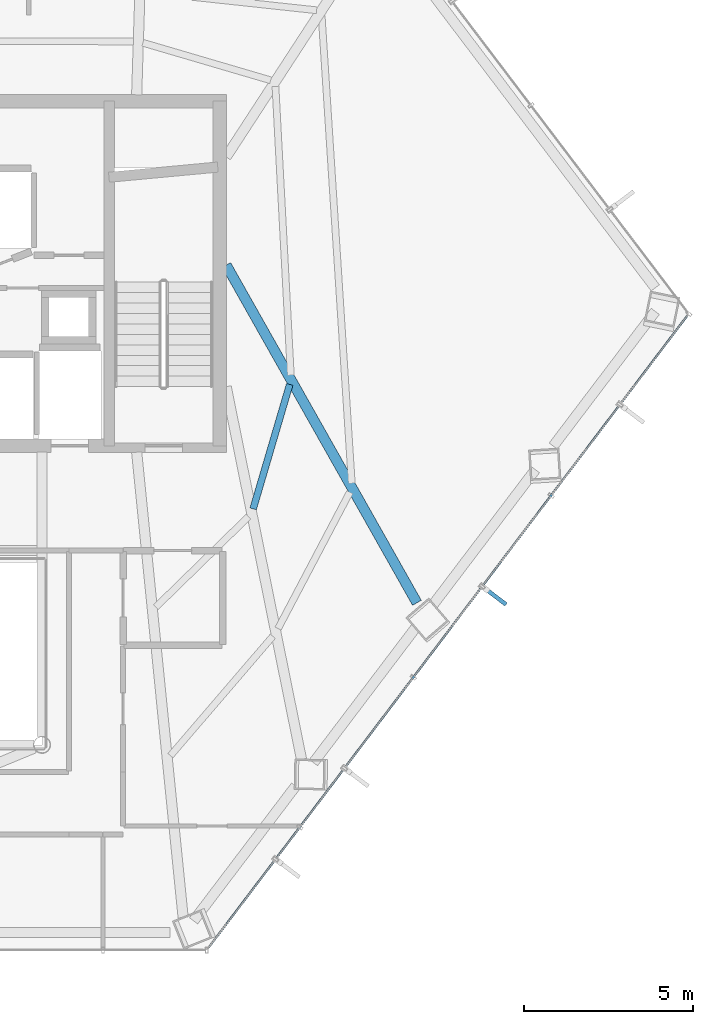
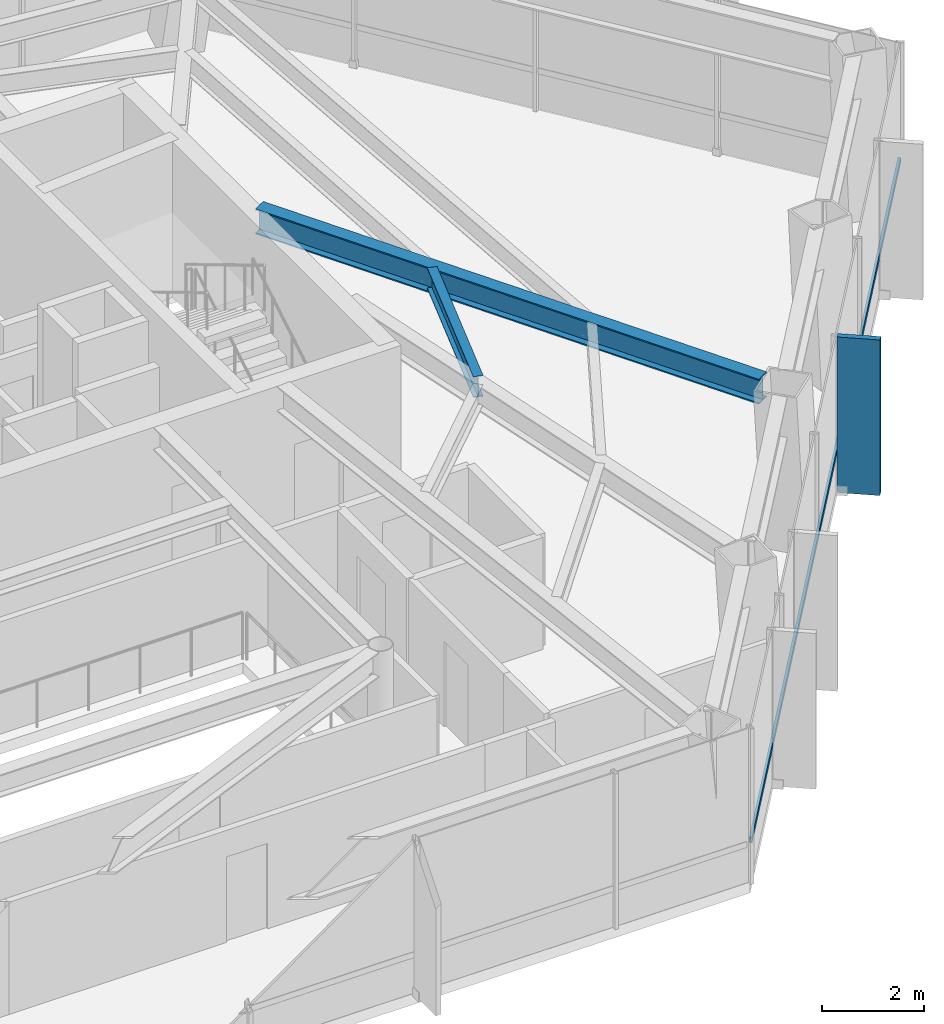
# One storey, part 16 of 25: 2 beams, 2 members, 1 element without a shape of its own.
"""IFC4 building model written with IfcOpenShell, lengths in metres."""

import ifcopenshell
import ifcopenshell.guid

model = None  # the IFC model being written
_history = None  # IfcOwnerHistory: only IFC2X3 demands one
_inside = {}  # id of a spatial element -> (the spatial element, [elements in it])
_under = {}  # id of a project, library or spatial element -> (it, [spatial elements below it])
_declared = {}  # id of a project -> (the project, [libraries it declares])
_typed = {}  # id of a type object -> (the type object, [elements of that type])
_made_of = {}  # id of a material, layer set ... -> (it, [elements and type objects made of it])


def new_model(schema):
    """Start an empty IFC model of exactly this schema.

    Asked for "IFC4X3", IfcOpenShell would pick the latest addendum, in which some entities
    have other attributes; the version numbers below select the first issue.
    IFC2X3 requires an IfcOwnerHistory on every rooted entity: one is made here for all.
    """
    global model, _history
    if schema == "IFC4X3":
        model = ifcopenshell.file(schema_version=(4, 3, 0, 0))
    else:
        model = ifcopenshell.file(schema=schema)
    _inside.clear()
    _under.clear()
    _declared.clear()
    _typed.clear()
    _made_of.clear()
    _history = None
    if model.schema == "IFC2X3":
        org = make("IfcOrganization", Name="unknown")
        user = make(
            "IfcPersonAndOrganization",
            ThePerson=make("IfcPerson", FamilyName="unknown"),
            TheOrganization=org,
        )
        app = make(
            "IfcApplication",
            ApplicationDeveloper=org,
            Version="unknown",
            ApplicationFullName="unknown",
            ApplicationIdentifier="unknown",
        )
        _history = make(
            "IfcOwnerHistory",
            OwningUser=user,
            OwningApplication=app,
            ChangeAction="ADDED",
            CreationDate=0,
        )
    return model


def make(cls, **values):
    """One entity of the class cls with the attributes given. An attribute that is None is left unset."""
    return model.create_entity(
        cls, **{name: value for name, value in values.items() if value is not None}
    )


def rooted(cls, **values):
    """An entity with a GlobalId (a new one), such as an element, a storey or a relation."""
    return make(cls, GlobalId=ifcopenshell.guid.new(), OwnerHistory=_history, **values)


def si_unit(unit_type, name, prefix=None):
    """IfcSIUnit, for example si_unit("LENGTHUNIT", "METRE", prefix="MILLI")."""
    return make("IfcSIUnit", UnitType=unit_type, Prefix=prefix, Name=name)


def assignment(units):
    """IfcUnitAssignment: the units of a project."""
    return None if units is None else make("IfcUnitAssignment", Units=units)


def point(xyz):
    """IfcCartesianPoint."""
    return None if xyz is None else make("IfcCartesianPoint", Coordinates=xyz)


def direction(xyz):
    """IfcDirection."""
    return None if xyz is None else make("IfcDirection", DirectionRatios=xyz)


def frame(location, z_axis=None, x_axis=None):
    """IfcAxis2Placement3D, a coordinate frame: its origin and axes. An axis left out is left unset."""
    return make(
        "IfcAxis2Placement3D",
        Location=point(location),
        Axis=direction(z_axis),
        RefDirection=direction(x_axis),
    )


def frame_2d(location, x_axis=None):
    """IfcAxis2Placement2D, a coordinate frame in the plane: its origin and x axis."""
    return make(
        "IfcAxis2Placement2D", Location=point(location), RefDirection=direction(x_axis)
    )


def origin():
    """The frame at (0, 0, 0) with its axes left unset."""
    return frame((0.0, 0.0, 0.0))


def origin_2d():
    """The frame at (0, 0) in the plane with its x axis left unset."""
    return frame_2d((0.0, 0.0))


def place(relative_to, where):
    """IfcLocalPlacement: puts the frame where relative to a parent placement (None: the world)."""
    return make(
        "IfcLocalPlacement", PlacementRelTo=relative_to, RelativePlacement=where
    )


def context(
    kind, dimensions, precision=None, world=None, true_north=None, identifier=None
):
    """IfcGeometricRepresentationContext, for example the 3D "Model" context."""
    return make(
        "IfcGeometricRepresentationContext",
        ContextIdentifier=identifier,
        ContextType=kind,
        CoordinateSpaceDimension=dimensions,
        Precision=precision,
        WorldCoordinateSystem=world,
        TrueNorth=true_north,
    )


def subcontext(parent, identifier, kind, view, scale=None):
    """IfcGeometricRepresentationSubContext, for example "Body" below "Model"."""
    return make(
        "IfcGeometricRepresentationSubContext",
        ContextIdentifier=identifier,
        ContextType=kind,
        ParentContext=parent,
        TargetScale=scale,
        TargetView=view,
    )


def project(units=None, contexts=None):
    """IfcProject with its units and contexts."""
    return rooted(
        "IfcProject",
        Name="project",
        RepresentationContexts=contexts,
        UnitsInContext=assignment(units),
    )


def spatial(cls, under=None, at=None, **own):
    """A site, building, storey or space (cls), placed at a placement, below another one or the project."""
    s = rooted(cls, ObjectPlacement=at, **own)
    if under is not None:
        _under.setdefault(under.id(), (under, []))[1].append(s)
    return s


def profile(cls, at=None, kind="AREA", **sizes):
    """A parametric profile (cls). Its sizes go by their IFC names, for example OverallWidth=200.0."""
    return make(cls, ProfileType=kind, Position=at, **sizes)


def rectangle(**sizes):
    """IfcRectangleProfileDef."""
    return profile("IfcRectangleProfileDef", **sizes)


def hollow_rectangle(**sizes):
    """IfcRectangleHollowProfileDef."""
    return profile("IfcRectangleHollowProfileDef", **sizes)


def i_section(**sizes):
    """IfcIShapeProfileDef."""
    return profile("IfcIShapeProfileDef", **sizes)


def extrude(swept, where, along, depth):
    """IfcExtrudedAreaSolid: the profile swept, set in the frame where, extruded along a direction by depth."""
    return make(
        "IfcExtrudedAreaSolid",
        SweptArea=swept,
        Position=where,
        ExtrudedDirection=direction(along),
        Depth=depth,
    )


def shape(context_of_items, identifier, shape_type, items):
    """IfcShapeRepresentation: the items that make up one representation, for example the "Body"."""
    return make(
        "IfcShapeRepresentation",
        ContextOfItems=context_of_items,
        RepresentationIdentifier=identifier,
        RepresentationType=shape_type,
        Items=items,
    )


def material(Name=None, Category=None):
    """IfcMaterial."""
    return make("IfcMaterial", Name=Name, Category=Category)


def layer(
    of_material, thickness, ventilated=None, Name=None, Category=None, Priority=None
):
    """IfcMaterialLayer: one layer of a wall or slab, of a material (None: an air gap)."""
    return make(
        "IfcMaterialLayer",
        Material=of_material,
        LayerThickness=thickness,
        IsVentilated=ventilated,
        Name=Name,
        Category=Category,
        Priority=Priority,
    )


def layer_set(layers, Name=None):
    """IfcMaterialLayerSet."""
    return make("IfcMaterialLayerSet", MaterialLayers=layers, LayerSetName=Name)


def material_profile(
    of_material, cross_section, Name=None, Category=None, Priority=None
):
    """IfcMaterialProfile: a cross section and its material."""
    return make(
        "IfcMaterialProfile",
        Name=Name,
        Material=of_material,
        Profile=cross_section,
        Priority=Priority,
        Category=Category,
    )


def profile_set(profiles, Name=None, composite=None):
    """IfcMaterialProfileSet."""
    return make(
        "IfcMaterialProfileSet",
        Name=Name,
        MaterialProfiles=profiles,
        CompositeProfile=composite,
    )


def made_of(thing, what):
    """Note that an element or type object is made of a material, layer set ...; save() writes the relation."""
    if what is not None:
        _made_of.setdefault(what.id(), (what, []))[1].append(thing)
    return thing


def type_object(cls, material=None, **own):
    """A type object (cls), such as IfcWallType, which elements share."""
    return made_of(rooted(cls, **own), material)


def element(
    cls,
    number,
    at=None,
    inside=None,
    cuts=None,
    type_object=None,
    material=None,
    context=None,
    identifier="Body",
    shape_type=None,
    held_by="IfcProductDefinitionShape",
    body=None,
    shapes=None,
    **own,
):
    """One element of the class cls, such as IfcWall. Its Tag is "e" and its number.

    at: its placement. inside: the storey or other place that contains it. cuts: it is an
    opening in that element (IfcRelVoidsElement). A single representation is given by context,
    identifier, shape_type and body (its items); several are given by shapes. held_by: the class
    of the entity that holds the representations. save() writes the other relations.
    """
    e = rooted(cls, Tag="e%d" % number, ObjectPlacement=at, **own)
    if body is not None:
        shapes = [shape(context, identifier, shape_type, body)]
    if shapes is not None:
        e.Representation = make(held_by, Representations=shapes)
    if inside is not None:
        _inside.setdefault(inside.id(), (inside, []))[1].append(e)
    if cuts is not None:
        rooted(
            "IfcRelVoidsElement", RelatingBuildingElement=cuts, RelatedOpeningElement=e
        )
    if type_object is not None:
        _typed.setdefault(type_object.id(), (type_object, []))[1].append(e)
    return made_of(e, material)


def aggregate(whole, parts):
    """IfcRelAggregates: a whole, such as a stair, and the parts it consists of."""
    return rooted("IfcRelAggregates", RelatingObject=whole, RelatedObjects=parts)


def save(model, path):
    """Write the relations noted so far, then the file.

    IfcRelAggregates (storeys below a building ...), IfcRelContainedInSpatialStructure (elements
    in a storey), IfcRelDefinesByType, IfcRelAssociatesMaterial and IfcRelDeclares: one each for
    every whole, place, type object, material and project.
    """
    for whole, parts in _under.values():
        aggregate(whole, parts)
    for where, things in _inside.values():
        rooted(
            "IfcRelContainedInSpatialStructure",
            RelatedElements=things,
            RelatingStructure=where,
        )
    for kind, things in _typed.values():
        rooted("IfcRelDefinesByType", RelatedObjects=things, RelatingType=kind)
    for what, things in _made_of.values():
        rooted("IfcRelAssociatesMaterial", RelatedObjects=things, RelatingMaterial=what)
    for by, libraries in _declared.values():
        rooted("IfcRelDeclares", RelatingContext=by, RelatedDefinitions=libraries)
    model.write(path)


model = new_model("IFC4")

# Units and contexts
model_context = context("Model", 3, precision=1e-05, world=origin(), true_north=direction((0.0, 1.0)))
body_context = subcontext(model_context, "Body", "Model", "MODEL_VIEW")
ifc_project = project(units=[si_unit("LENGTHUNIT", "METRE"), si_unit("AREAUNIT", "SQUARE_METRE"), si_unit("VOLUMEUNIT", "CUBIC_METRE"), si_unit("PLANEANGLEUNIT", "RADIAN"), si_unit("MASSUNIT", "GRAM", prefix="KILO")], contexts=[model_context])

# Site, building, storey
site_placement = place(None, origin())
site = spatial("IfcSite", under=ifc_project, at=site_placement, CompositionType="ELEMENT")
building_placement = place(site_placement, origin())
building = spatial("IfcBuilding", under=site, at=building_placement, Name="Zarrinselat Tower", CompositionType="ELEMENT")
storey_placement = place(building_placement, frame((0.0, 0.0, 105.06005859375)))
storey = spatial("IfcBuildingStorey", under=building, at=storey_placement, Name="L25", CompositionType="ELEMENT", Elevation=105.06005859375)

# Beams
ifc_material_1 = material(Name="Steel S355J2", Category="steel")
ifc_material_profile_1 = material_profile(ifc_material_1, i_section(OverallWidth=0.300048828125, OverallDepth=0.60009765625, WebThickness=0.015380859375, FlangeThickness=0.030029296875, at=origin_2d()), Name="HEB 600")
ifc_profile_set_1 = profile_set([ifc_material_profile_1], Name="Steel S355J2")
beam_type_1 = type_object("IfcBeamType", Name="BM-HEB600", PredefinedType="BEAM", material=ifc_profile_set_1)
beam_1_placement = place(storey_placement, frame((48.449951171875, 38.60009765625, 3.429931640625), z_axis=(0.491705433757, -0.870761601366, 0.0), x_axis=(0.870761601366, 0.491705433757, 0.0)))
element("IfcBeam", 1, at=beam_1_placement, inside=storey, type_object=beam_type_1, Name="L25 Radial Primary Girder RG13", PredefinedType="BEAM", context=body_context, shape_type="SweptSolid", body=[
    extrude(i_section(OverallWidth=0.300048828125, OverallDepth=0.60009765625, WebThickness=0.015380859375, FlangeThickness=0.030029296875, at=origin_2d()), origin(), (0.0, 0.0, 1.0), 11.47998046875),
])
ifc_material_2 = material(Name="Steel S355J2", Category="steel")
ifc_material_profile_2 = material_profile(ifc_material_2, i_section(OverallWidth=0.199951171875, OverallDepth=0.5, WebThickness=0.01025390625, FlangeThickness=0.01611328125, at=origin_2d()), Name="IPE 500")
ifc_profile_set_2 = profile_set([ifc_material_profile_2], Name="Steel S355J2")
beam_type_2 = type_object("IfcBeamType", Name="BM-IPE500", PredefinedType="JOIST", material=ifc_profile_set_2)
beam_2_placement = place(storey_placement, frame((49.24755859375, 31.384033203125, 3.47998046875), z_axis=(0.281945938992, 0.959430293187, 0.0), x_axis=(-0.959430293187, 0.281945938992, 0.0)))
element("IfcBeam", 2, at=beam_2_placement, inside=storey, type_object=beam_type_2, Name="L25 Composite Floor Joist 4-2", PredefinedType="JOIST", context=body_context, shape_type="SweptSolid", body=[
    extrude(i_section(OverallWidth=0.199951171875, OverallDepth=0.5, WebThickness=0.01025390625, FlangeThickness=0.01611328125, at=origin_2d()), origin(), (0.0, 0.0, 1.0), 3.838623046875),
])

# Curtain wall, members
ifc_material_3 = material(Name="Extruded Aluminium Alloy EN AW-6063 T6", Category="aluminium")
ifc_layer = layer(ifc_material_3, 0.18505859375)
ifc_layer_set = layer_set([ifc_layer], Name="Extruded Aluminium Alloy EN AW-6063 T6")
curtain_wall_type = type_object("IfcCurtainWallType", Name="CWS-OFF", PredefinedType="NOTDEFINED", material=ifc_layer_set)
curtain_wall_placement = place(storey_placement, origin())
curtain_wall = element("IfcCurtainWall", 3, at=curtain_wall_placement, inside=storey, type_object=curtain_wall_type, Name="L25 Unitised Curtain Wall CW-L25-E05", PredefinedType="NOTDEFINED")
ifc_material_4 = material(Name="Extruded Aluminium Alloy EN AW-6063 T6", Category="aluminium")
ifc_material_profile_3 = material_profile(ifc_material_4, hollow_rectangle(XDim=0.06005859375, YDim=0.139892578125, WallThickness=0.00390625, at=origin_2d()), Name="RHS 140x60x4")
ifc_profile_set_3 = profile_set([ifc_material_profile_3], Name="Extruded Aluminium Alloy EN AW-6063 T6")
member_type_1 = type_object("IfcMemberType", Name="MEM-CW-TRN", PredefinedType="USERDEFINED", material=ifc_profile_set_3)
member_1_placement = place(storey_placement, frame((47.92822265625, 18.397216796875, 0.949951171875), z_axis=(0.603857687995, 0.797092148154, 0.0), x_axis=(-0.797092148154, 0.603857687995, 0.0)))
member_1 = element("IfcMember", 4, at=member_1_placement, type_object=member_type_1, Name="CW-L25-E05 Transom 1", ObjectType="TRANSOM", PredefinedType="USERDEFINED", context=body_context, shape_type="SweptSolid", body=[
    extrude(hollow_rectangle(XDim=0.06005859375, YDim=0.139892578125, WallThickness=0.00390625, at=origin_2d()), origin(), (0.0, 0.0, 1.0), 23.449462890625),
])
ifc_material_5 = material(Name="Honed Cream Travertine Stone", Category="masonry")
ifc_material_profile_4 = material_profile(ifc_material_5, rectangle(XDim=0.1201171875, YDim=0.85009765625, at=origin_2d()), Name="FIN 850x120")
ifc_profile_set_4 = profile_set([ifc_material_profile_4], Name="Honed Cream Travertine Stone")
member_type_2 = type_object("IfcMemberType", Name="MEM-STONE-FIN", PredefinedType="USERDEFINED", material=ifc_profile_set_4)
member_2_placement = place(storey_placement, frame((56.394287109375, 28.810546875, 0.0), z_axis=(0.0, 0.0, 1.0), x_axis=(-0.603858013909, -0.79709190125, 0.0)))
member_2 = element("IfcMember", 5, at=member_2_placement, type_object=member_type_2, Name="L25 Stone Shading Fin CW-L25-E05-05", ObjectType="FIN", PredefinedType="USERDEFINED", context=body_context, shape_type="SweptSolid", body=[
    extrude(rectangle(XDim=0.1201171875, YDim=0.85009765625, at=origin_2d()), origin(), (0.0, 0.0, 1.0), 3.72998046875),
])
aggregate(curtain_wall, [member_2, member_1])

save(model, "model.ifc")
